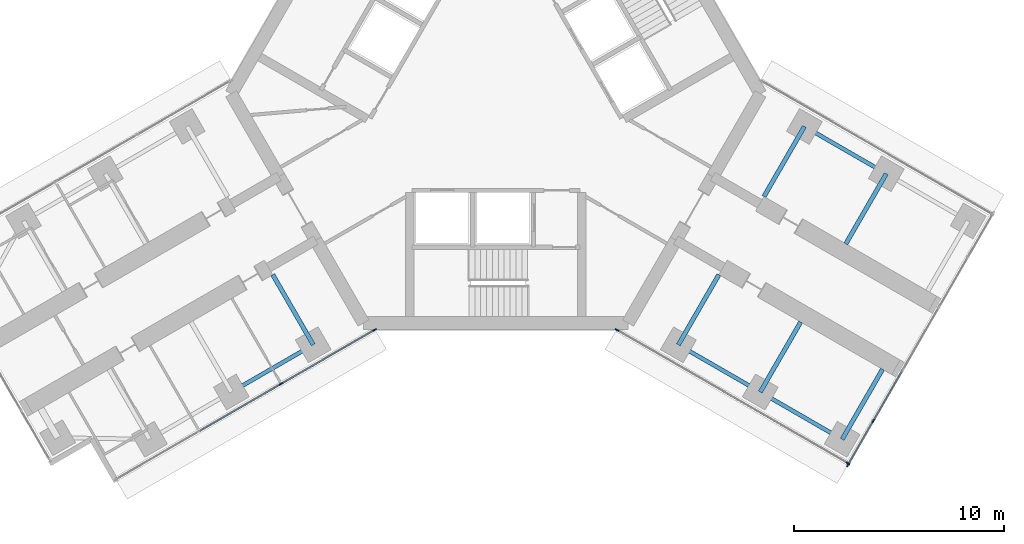
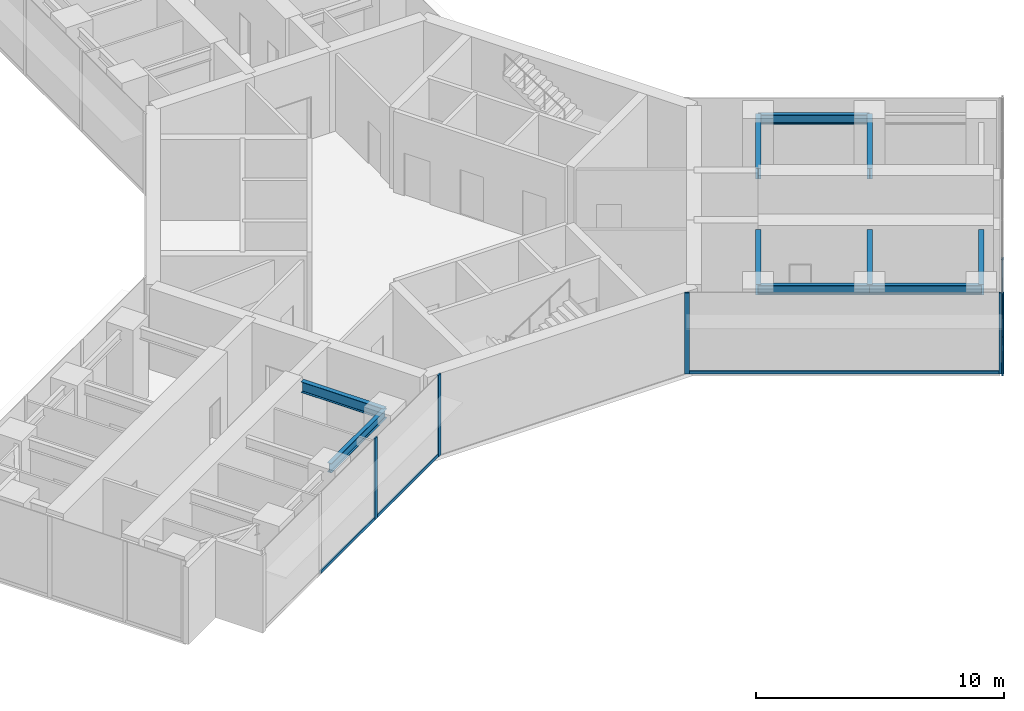
# One storey, part 8 of 23: 11 members, 10 beams, 3 elements without a shape of their own.
"""IFC4 building model written with IfcOpenShell, lengths in metres."""

from ifc_helpers import new_model, si_unit, direction, frame, origin, origin_2d, place, context, subcontext, project, spatial, rectangle, i_section, extrude, material, material_profile, profile_set, type_object, element, aggregate, save


model = new_model("IFC4")

# Units and contexts
model_context = context("Model", 3, precision=1e-05, world=origin(), true_north=direction((0.0, 1.0)))
body_context = subcontext(model_context, "Body", "Model", "MODEL_VIEW")
ifc_project = project(units=[si_unit("LENGTHUNIT", "METRE"), si_unit("AREAUNIT", "SQUARE_METRE"), si_unit("VOLUMEUNIT", "CUBIC_METRE"), si_unit("PLANEANGLEUNIT", "RADIAN"), si_unit("MASSUNIT", "GRAM", prefix="KILO")], contexts=[model_context])

# Site, building, storey
site_placement = place(None, origin())
site = spatial("IfcSite", under=ifc_project, at=site_placement, CompositionType="ELEMENT")
building_placement = place(site_placement, origin())
building = spatial("IfcBuilding", under=site, at=building_placement, Name="Upepo Twin Towers", CompositionType="ELEMENT")
storey_placement = place(building_placement, frame((0.0, 0.0, 157.5)))
storey = spatial("IfcBuildingStorey", under=building, at=storey_placement, Name="L38", CompositionType="ELEMENT", Elevation=157.5)

# Beams
ifc_material_1 = material(Name="Steel S355", Category="steel")
ifc_material_profile_1 = material_profile(ifc_material_1, i_section(OverallWidth=0.1904296875, OverallDepth=0.45703125, WebThickness=0.009033203125, FlangeThickness=0.014404296875, FilletRadius=0.01025390625, at=origin_2d()), Name="UB 457x191x74")
ifc_profile_set_1 = profile_set([ifc_material_profile_1], Name="Steel S355")
beam_type_1 = type_object("IfcBeamType", Name="Beam UB 457x191x74", PredefinedType="BEAM", material=ifc_profile_set_1)
for number, where, z_axis, x_axis, name in (
    (1, (49.80859375, -29.946044921875, 3.571533203125), (-0.866017533419, -0.500013631625, 0.0), (0.500013631625, -0.866017533419, 0.0), "T2 edge beam BL 13.5-18.0"),
    (2, (73.19140625, -19.553955078125, 3.571533203125), (0.866017533419, -0.500013631625, 0.0), (0.500013631625, 0.866017533419, 0.0), "T2 edge beam CL 13.5-18.0"),
    (3, (67.19140625, -29.946044921875, 3.571533203125), (0.866017533419, -0.500013631625, 0.0), (0.500013631625, 0.866017533419, 0.0), "T2 edge beam CR 13.5-18.0"),
):
    element("IfcBeam", number, at=place(storey_placement, frame(where, z_axis=z_axis, x_axis=x_axis)), inside=storey, type_object=beam_type_1, Name=name, PredefinedType="BEAM", context=body_context, shape_type="SweptSolid", body=[
        extrude(i_section(OverallWidth=0.1904296875, OverallDepth=0.45703125, WebThickness=0.009033203125, FlangeThickness=0.014404296875, FilletRadius=0.01025390625, at=origin_2d()), origin(), (0.0, 0.0, 1.0), 4.499755859375),
    ])
beam_1_placement = place(storey_placement, frame((71.08837890625, -32.196044921875, 3.571533203125), z_axis=(0.866031096941, -0.499990139034, 0.0), x_axis=(0.499990139034, 0.866031096941, 0.0)))
element("IfcBeam", 4, at=beam_1_placement, inside=storey, type_object=beam_type_1, Name="T2 edge beam CR 18.0-22.5", PredefinedType="BEAM", context=body_context, shape_type="SweptSolid", body=[
    extrude(i_section(OverallWidth=0.1904296875, OverallDepth=0.45703125, WebThickness=0.009033203125, FlangeThickness=0.014404296875, FilletRadius=0.01025390625, at=origin_2d()), origin(), (0.0, 0.0, 1.0), 4.5),
])
ifc_material_2 = material(Name="Steel S355", Category="steel")
ifc_material_profile_2 = material_profile(ifc_material_2, i_section(OverallWidth=0.209228515625, OverallDepth=0.533203125, WebThickness=0.010009765625, FlangeThickness=0.015625, FilletRadius=0.0126953125, at=origin_2d()), Name="UB 533x210x92")
ifc_profile_set_2 = profile_set([ifc_material_profile_2], Name="Steel S355")
beam_type_2 = type_object("IfcBeamType", Name="Beam UB 533x210x92", PredefinedType="BEAM", material=ifc_profile_set_2)
for number, where, z_axis, x_axis, name in (
    (5, (49.80859375, -29.946044921875, 3.533447265625), (-0.500033517596, 0.866006051527, 0.0), (-0.866006051527, -0.500033517596, 0.0), "T2 girder BL at 13.5"),
    (6, (73.19140625, -19.553955078125, 3.533447265625), (-0.500033517596, -0.866006051527, 0.0), (0.866006051527, -0.500033517596, 0.0), "T2 girder CL at 13.5"),
):
    element("IfcBeam", number, at=place(storey_placement, frame(where, z_axis=z_axis, x_axis=x_axis)), inside=storey, type_object=beam_type_2, Name=name, PredefinedType="BEAM", context=body_context, shape_type="SweptSolid", body=[
        extrude(i_section(OverallWidth=0.209228515625, OverallDepth=0.533203125, WebThickness=0.010009765625, FlangeThickness=0.015625, FilletRadius=0.0126953125, at=origin_2d()), origin(), (0.0, 0.0, 1.0), 3.849853515625),
    ])
beam_2_placement = place(storey_placement, frame((77.08837890625, -21.803955078125, 3.533447265625), z_axis=(-0.499985955615, -0.866033512162, 0.0), x_axis=(0.866033512162, -0.499985955615, 0.0)))
element("IfcBeam", 7, at=beam_2_placement, inside=storey, type_object=beam_type_2, Name="T2 girder CL at 18.0", PredefinedType="BEAM", context=body_context, shape_type="SweptSolid", body=[
    extrude(i_section(OverallWidth=0.209228515625, OverallDepth=0.533203125, WebThickness=0.010009765625, FlangeThickness=0.015625, FilletRadius=0.0126953125, at=origin_2d()), origin(), (0.0, 0.0, 1.0), 3.849609375),
])
for number, where, z_axis, x_axis, name in (
    (8, (67.19140625, -29.946044921875, 3.533447265625), (0.500033517596, 0.866006051527, 0.0), (-0.866006051527, 0.500033517596, 0.0), "T2 girder CR at 13.5"),
    (9, (71.08837890625, -32.196044921875, 3.533447265625), (0.500033517596, 0.866006051527, 0.0), (-0.866006051527, 0.500033517596, 0.0), "T2 girder CR at 18.0"),
    (10, (74.985595703125, -34.446044921875, 3.533447265625), (0.500033517596, 0.866006051527, 0.0), (-0.866006051527, 0.500033517596, 0.0), "T2 girder CR at 22.5"),
):
    element("IfcBeam", number, at=place(storey_placement, frame(where, z_axis=z_axis, x_axis=x_axis)), inside=storey, type_object=beam_type_2, Name=name, PredefinedType="BEAM", context=body_context, shape_type="SweptSolid", body=[
        extrude(i_section(OverallWidth=0.209228515625, OverallDepth=0.533203125, WebThickness=0.010009765625, FlangeThickness=0.015625, FilletRadius=0.0126953125, at=origin_2d()), origin(), (0.0, 0.0, 1.0), 3.849853515625),
    ])

# Curtain wall, members
ifc_material_3 = material(Name="Aluminium and fritted glass", Category="aluminium")
curtain_wall_type = type_object("IfcCurtainWallType", Name="Tower curtain wall TW2, fritted glass", PredefinedType="NOTDEFINED", material=ifc_material_3)
curtain_wall_1_placement = place(storey_placement, origin())
curtain_wall_1 = element("IfcCurtainWall", 11, at=curtain_wall_1_placement, inside=storey, type_object=curtain_wall_type, Name="T2 L38 wing B flank L curtain wall", PredefinedType="NOTDEFINED")
ifc_material_4 = material(Name="Aluminium mullion", Category="aluminium")
ifc_material_profile_3 = material_profile(ifc_material_4, rectangle(XDim=0.06494140625, YDim=0.199951171875, at=origin_2d()), Name="MULLION 65x200")
ifc_profile_set_3 = profile_set([ifc_material_profile_3], Name="Aluminium mullion")
member_type_1 = type_object("IfcMemberType", Name="Mullion 65x200 TW2", PredefinedType="MULLION", material=ifc_profile_set_3)
member_1_placement = place(storey_placement, frame((52.72802734375, -29.2421875, 0.0), z_axis=(0.0, 0.0, 1.0), x_axis=(0.500000010308, -0.866025397833, 0.0)))
member_1 = element("IfcMember", 12, at=member_1_placement, type_object=member_type_1, Name="T2 L38 wing B flank L curtain wall mullion 1", PredefinedType="MULLION", context=body_context, shape_type="SweptSolid", body=[
    extrude(rectangle(XDim=0.06494140625, YDim=0.199951171875, at=origin_2d()), origin(), (0.0, 0.0, 1.0), 4.0),
])
member_2_placement = place(storey_placement, frame((48.28515625, -31.807373046875, 0.0), z_axis=(0.0, 0.0, 1.0), x_axis=(0.500000010308, -0.866025397833, 0.0)))
member_2 = element("IfcMember", 13, at=member_2_placement, type_object=member_type_1, Name="T2 L38 wing B flank L curtain wall mullion 2", PredefinedType="MULLION", context=body_context, shape_type="SweptSolid", body=[
    extrude(rectangle(XDim=0.06494140625, YDim=0.199951171875, at=origin_2d()), origin(), (0.0, 0.0, 1.0), 4.0),
])

curtain_wall_2_placement = place(storey_placement, origin())
curtain_wall_2 = element("IfcCurtainWall", 14, at=curtain_wall_2_placement, inside=storey, type_object=curtain_wall_type, Name="T2 L38 wing C flank R curtain wall", PredefinedType="NOTDEFINED")
member_3_placement = place(storey_placement, frame((75.2685546875, -35.591064453125, 0.0), z_axis=(0.0, 0.0, 1.0), x_axis=(-0.50000000792, -0.866025399212, 0.0)))
member_3 = element("IfcMember", 15, at=member_3_placement, type_object=member_type_1, Name="T2 L38 wing C flank R curtain wall mullion 1", PredefinedType="MULLION", context=body_context, shape_type="SweptSolid", body=[
    extrude(rectangle(XDim=0.06494140625, YDim=0.199951171875, at=origin_2d()), origin(), (0.0, 0.0, 1.0), 4.0),
])
member_4_placement = place(storey_placement, frame((64.27197265625, -29.2421875, 0.0), z_axis=(0.0, 0.0, 1.0), x_axis=(-0.50000000792, -0.866025399212, 0.0)))
member_4 = element("IfcMember", 16, at=member_4_placement, type_object=member_type_1, Name="T2 L38 wing C flank R curtain wall mullion 2", PredefinedType="MULLION", context=body_context, shape_type="SweptSolid", body=[
    extrude(rectangle(XDim=0.06494140625, YDim=0.199951171875, at=origin_2d()), origin(), (0.0, 0.0, 1.0), 4.0),
])

curtain_wall_3_placement = place(storey_placement, origin())
curtain_wall_3 = element("IfcCurtainWall", 17, at=curtain_wall_3_placement, inside=storey, type_object=curtain_wall_type, Name="T2 L38 wing C nose curtain wall", PredefinedType="NOTDEFINED")
member_5_placement = place(storey_placement, frame((75.262939453125, -35.665771484375, 0.0), z_axis=(0.0, 0.0, 1.0), x_axis=(-0.866025419745, 0.499999972355, 0.0)))
member_5 = element("IfcMember", 18, at=member_5_placement, type_object=member_type_1, Name="T2 L38 wing C nose curtain wall mullion 1", PredefinedType="MULLION", context=body_context, shape_type="SweptSolid", body=[
    extrude(rectangle(XDim=0.06494140625, YDim=0.199951171875, at=origin_2d()), origin(), (0.0, 0.0, 1.0), 4.0),
])
member_6_placement = place(storey_placement, frame((76.4716796875, -33.572021484375, 0.0), z_axis=(0.0, 0.0, 1.0), x_axis=(-0.866025419745, 0.499999972355, 0.0)))
member_6 = element("IfcMember", 19, at=member_6_placement, type_object=member_type_1, Name="T2 L38 wing C nose curtain wall mullion 2", PredefinedType="MULLION", context=body_context, shape_type="SweptSolid", body=[
    extrude(rectangle(XDim=0.06494140625, YDim=0.199951171875, at=origin_2d()), origin(), (0.0, 0.0, 1.0), 4.0),
])

# Member
ifc_material_5 = material(Name="Aluminium transom", Category="aluminium")
ifc_material_profile_4 = material_profile(ifc_material_5, rectangle(XDim=0.06494140625, YDim=0.14990234375, at=origin_2d()), Name="TRANSOM 65x150")
ifc_profile_set_4 = profile_set([ifc_material_profile_4], Name="Aluminium transom")
member_type_2 = type_object("IfcMemberType", Name="Transom 65x150 TW2", PredefinedType="USERDEFINED", material=ifc_profile_set_4)
member_7_placement = place(storey_placement, frame((52.699951171875, -29.25830078125, 0.074951171875), z_axis=(-0.866021848223, -0.500006158363, 0.0), x_axis=(0.500006158363, -0.866021848223, 0.0)))
member_7 = element("IfcMember", 20, at=member_7_placement, type_object=member_type_2, Name="T2 L38 wing B flank L curtain wall transom 1", ObjectType="TRANSOM", PredefinedType="USERDEFINED", context=body_context, shape_type="SweptSolid", body=[
    extrude(rectangle(XDim=0.06494140625, YDim=0.14990234375, at=origin_2d()), origin(), (0.0, 0.0, 1.0), 5.0654296875),
])

member_8_placement = place(storey_placement, frame((48.2568359375, -31.823486328125, 0.074951171875), z_axis=(-0.866022410713, -0.500005184116, 0.0), x_axis=(0.500005184116, -0.866022410713, 0.0)))
member_8 = element("IfcMember", 21, at=member_8_placement, type_object=member_type_2, Name="T2 L38 wing B flank L curtain wall transom 2", ObjectType="TRANSOM", PredefinedType="USERDEFINED", context=body_context, shape_type="SweptSolid", body=[
    extrude(rectangle(XDim=0.06494140625, YDim=0.14990234375, at=origin_2d()), origin(), (0.0, 0.0, 1.0), 4.43505859375),
])

aggregate(curtain_wall_1, [member_1, member_2, member_7, member_8])

member_9_placement = place(storey_placement, frame((75.240478515625, -35.57470703125, 0.074951171875), z_axis=(-0.866027247007, 0.499996807431, 0.0), x_axis=(-0.499996807431, -0.866027247007, 0.0)))
member_9 = element("IfcMember", 22, at=member_9_placement, type_object=member_type_2, Name="T2 L38 wing C flank R curtain wall transom 1", ObjectType="TRANSOM", PredefinedType="USERDEFINED", context=body_context, shape_type="SweptSolid", body=[
    extrude(rectangle(XDim=0.06494140625, YDim=0.14990234375, at=origin_2d()), origin(), (0.0, 0.0, 1.0), 12.6328125),
])

aggregate(curtain_wall_2, [member_3, member_4, member_9])

member_10_placement = place(storey_placement, frame((75.279296875, -35.6376953125, 0.074951171875), z_axis=(0.499923095048, 0.866069800327, 0.0), x_axis=(-0.866069800327, 0.499923095048, 0.0)))
member_10 = element("IfcMember", 23, at=member_10_placement, type_object=member_type_2, Name="T2 L38 wing C nose curtain wall transom 1", ObjectType="TRANSOM", PredefinedType="USERDEFINED", context=body_context, shape_type="SweptSolid", body=[
    extrude(rectangle(XDim=0.06494140625, YDim=0.14990234375, at=origin_2d()), origin(), (0.0, 0.0, 1.0), 2.352294921875),
])

member_11_placement = place(storey_placement, frame((76.488037109375, -33.5439453125, 0.074951171875), z_axis=(0.49995335277, 0.8660523339, 0.0), x_axis=(-0.8660523339, 0.49995335277, 0.0)))
member_11 = element("IfcMember", 24, at=member_11_placement, type_object=member_type_2, Name="T2 L38 wing C nose curtain wall transom 2", ObjectType="TRANSOM", PredefinedType="USERDEFINED", context=body_context, shape_type="SweptSolid", body=[
    extrude(rectangle(XDim=0.06494140625, YDim=0.14990234375, at=origin_2d()), origin(), (0.0, 0.0, 1.0), 2.684814453125),
])

aggregate(curtain_wall_3, [member_5, member_6, member_10, member_11])

save(model, "model.ifc")
